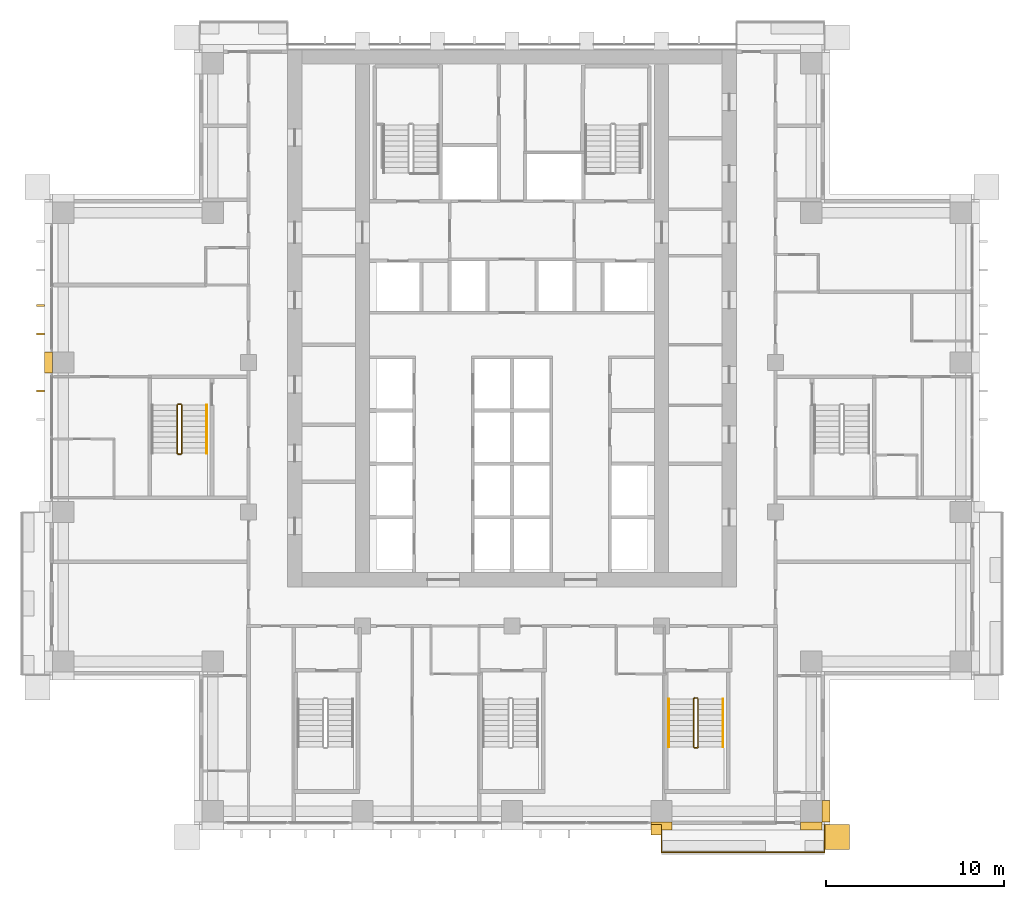
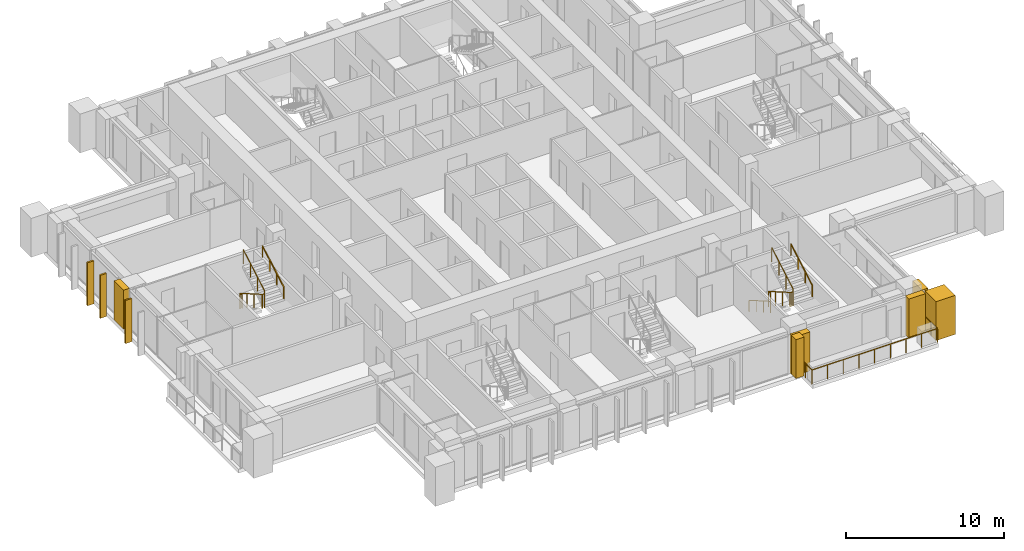
# One storey, part 18 of 21: 9 coverings, 6 railings.
"""IFC4 building model written with IfcOpenShell, lengths in metres."""

from ifc_helpers import new_model, si_unit, direction, frame, origin, origin_2d, place, context, subcontext, project, spatial, polyline, rectangle, outline, extrude, material, layer, layer_set, type_object, element, save


model = new_model("IFC4")

# Units and contexts
model_context = context("Model", 3, precision=1e-05, world=origin(), true_north=direction((0.0, 1.0)))
body_context = subcontext(model_context, "Body", "Model", "MODEL_VIEW")
ifc_project = project(units=[si_unit("LENGTHUNIT", "METRE"), si_unit("AREAUNIT", "SQUARE_METRE"), si_unit("VOLUMEUNIT", "CUBIC_METRE"), si_unit("PLANEANGLEUNIT", "RADIAN"), si_unit("MASSUNIT", "GRAM", prefix="KILO")], contexts=[model_context])

# Site, building, storey
site_placement = place(None, origin())
site = spatial("IfcSite", under=ifc_project, at=site_placement, CompositionType="ELEMENT")
building_placement = place(site_placement, origin())
building = spatial("IfcBuilding", under=site, at=building_placement, Name="Vermilion Ogive Tower", CompositionType="ELEMENT")
storey_placement = place(building_placement, frame((0.0, 0.0, 118.35009765625)))
storey = spatial("IfcBuildingStorey", under=building, at=storey_placement, Name="L30", CompositionType="ELEMENT", Elevation=118.35009765625)

# Railing
ifc_material_1 = material(Name="Stainless steel and glass", Category="steel")
railing_type_1 = type_object("IfcRailingType", Name="Balcony guard", PredefinedType="GUARDRAIL", material=ifc_material_1)
railing_1_placement = place(storey_placement, frame((8.39990234375, -21.75, -0.0400390625)))
element("IfcRailing", 1, at=railing_1_placement, inside=storey, type_object=railing_type_1, Name="Guard S04", PredefinedType="GUARDRAIL", context=body_context, shape_type="SweptSolid", body=[
    extrude(rectangle(XDim=0.048095703125, YDim=0.048095703125, at=origin_2d()), frame((0.0, 0.0, 1.076171875), z_axis=(0.0, -1.0, 0.0), x_axis=(1.0, 0.0, 0.0)), (0.0, 0.0, 1.0), 1.56396484375),
    extrude(rectangle(XDim=0.048095703125, YDim=0.048095703125, at=origin_2d()), frame((0.0, -1.56396484375, 1.076171875), z_axis=(1.0, 0.0, 0.0), x_axis=(0.0, 1.0, 0.0)), (0.0, 0.0, 1.0), 9.150146484375),
    extrude(rectangle(XDim=0.048095703125, YDim=0.048095703125, at=origin_2d()), frame((9.150146484375, -1.56396484375, 1.076171875), z_axis=(0.0, 1.0, 0.0), x_axis=(-1.0, 0.0, 0.0)), (0.0, 0.0, 1.0), 1.56396484375),
    extrude(rectangle(XDim=0.0419921875, YDim=0.0419921875, at=origin_2d()), origin(), (0.0, 0.0, 1.0), 1.052001953125),
    extrude(rectangle(XDim=0.0419921875, YDim=0.0419921875, at=origin_2d()), frame((0.0, -0.781982421875, 0.0)), (0.0, 0.0, 1.0), 1.052001953125),
    extrude(rectangle(XDim=0.0419921875, YDim=0.0419921875, at=origin_2d()), frame((0.0, -1.56396484375, 0.0)), (0.0, 0.0, 1.0), 1.052001953125),
    extrude(rectangle(XDim=0.0419921875, YDim=0.0419921875, at=origin_2d()), frame((1.143798828125, -1.56396484375, 0.0)), (0.0, 0.0, 1.0), 1.052001953125),
    extrude(rectangle(XDim=0.0419921875, YDim=0.0419921875, at=origin_2d()), frame((2.28759765625, -1.56396484375, 0.0)), (0.0, 0.0, 1.0), 1.052001953125),
    extrude(rectangle(XDim=0.0419921875, YDim=0.0419921875, at=origin_2d()), frame((3.431396484375, -1.56396484375, 0.0)), (0.0, 0.0, 1.0), 1.052001953125),
    extrude(rectangle(XDim=0.0419921875, YDim=0.0419921875, at=origin_2d()), frame((4.5751953125, -1.56396484375, 0.0)), (0.0, 0.0, 1.0), 1.052001953125),
    extrude(rectangle(XDim=0.0419921875, YDim=0.0419921875, at=origin_2d()), frame((5.71875, -1.56396484375, 0.0)), (0.0, 0.0, 1.0), 1.052001953125),
    extrude(rectangle(XDim=0.0419921875, YDim=0.0419921875, at=origin_2d()), frame((6.862548828125, -1.56396484375, 0.0)), (0.0, 0.0, 1.0), 1.052001953125),
    extrude(rectangle(XDim=0.0419921875, YDim=0.0419921875, at=origin_2d()), frame((8.00634765625, -1.56396484375, 0.0)), (0.0, 0.0, 1.0), 1.052001953125),
    extrude(rectangle(XDim=0.0419921875, YDim=0.0419921875, at=origin_2d()), frame((9.150146484375, -1.56396484375, 0.0)), (0.0, 0.0, 1.0), 1.052001953125),
    extrude(rectangle(XDim=0.0419921875, YDim=0.0419921875, at=origin_2d()), frame((9.150146484375, -0.781982421875, 0.0)), (0.0, 0.0, 1.0), 1.052001953125),
    extrude(rectangle(XDim=0.0419921875, YDim=0.0419921875, at=origin_2d()), frame((9.150146484375, 0.0, 0.0)), (0.0, 0.0, 1.0), 1.052001953125),
])

# Coverings
ifc_material_2 = material(Name="Glazed ceramic screen")
ifc_layer = layer(ifc_material_2, 0.14990234375)
ifc_layer_set = layer_set([ifc_layer], Name="Ceramic solar screen fin")
covering_type_1 = type_object("IfcCoveringType", Name="Ceramic solar screen fin", PredefinedType="CLADDING", material=ifc_layer_set)
covering_1_placement = place(storey_placement, frame((0.0, 0.0, -0.320068359375)))
element("IfcCovering", 2, at=covering_1_placement, inside=storey, type_object=covering_type_1, Name="Solar screen blade W011", PredefinedType="CLADDING", context=body_context, shape_type="SweptSolid", body=[
    extrude(outline(polyline([(-26.699951171875, 7.4599609375), (-26.699951171875, 7.340087890625), (-26.25, 7.340087890625), (-26.25, 7.4599609375), (-26.699951171875, 7.4599609375)])), origin(), (0.0, 0.0, 1.0), 3.320068359375),
])
covering_2_placement = place(storey_placement, frame((0.0, 0.0, -0.320068359375)))
element("IfcCovering", 3, at=covering_2_placement, inside=storey, type_object=covering_type_1, Name="Solar screen blade W012", PredefinedType="CLADDING", context=body_context, shape_type="SweptSolid", body=[
    extrude(outline(polyline([(-26.699951171875, 5.860107421875), (-26.699951171875, 5.739990234375), (-26.25, 5.739990234375), (-26.25, 5.860107421875), (-26.699951171875, 5.860107421875)])), origin(), (0.0, 0.0, 1.0), 3.320068359375),
])
covering_3_placement = place(storey_placement, frame((0.0, 0.0, -0.320068359375)))
element("IfcCovering", 4, at=covering_3_placement, inside=storey, type_object=covering_type_1, Name="Solar screen blade W001", PredefinedType="CLADDING", context=body_context, shape_type="SweptSolid", body=[
    extrude(outline(polyline([(-26.699951171875, 2.659912109375), (-26.699951171875, 2.5400390625), (-26.25, 2.5400390625), (-26.25, 2.659912109375), (-26.699951171875, 2.659912109375)])), origin(), (0.0, 0.0, 1.0), 3.320068359375),
])

# Railings
ifc_material_3 = material(Name="Steel S355 painted", Category="steel")
railing_type_2 = type_object("IfcRailingType", Name="Stair guard 1100", PredefinedType="GUARDRAIL", material=ifc_material_3)
railing_2_placement = place(storey_placement, frame((10.39990234375, -14.64990234375, 0.0)))
element("IfcRailing", 5, at=railing_2_placement, inside=storey, type_object=railing_type_2, Name="L30 ST5 stair guard 4", PredefinedType="GUARDRAIL", context=body_context, shape_type="SweptSolid", body=[
    extrude(rectangle(XDim=0.048095703125, YDim=0.048095703125, at=origin_2d()), frame((0.0, 0.0, 1.076171875), z_axis=(-1.0, 0.0, 0.0), x_axis=(0.0, -1.0, 0.0)), (0.0, 0.0, 1.0), 0.14990234375),
    extrude(rectangle(XDim=0.048095703125, YDim=0.048095703125, at=origin_2d()), frame((-0.14990234375, 0.0, 1.076171875), z_axis=(-0.268603158521, -0.268603158521, 0.925043072762), x_axis=(0.707106781187, -0.707106781187, 0.0)), (0.0, 0.0, 1.0), 0.186279296875),
    extrude(rectangle(XDim=0.048095703125, YDim=0.048095703125, at=origin_2d()), frame((-0.199951171875, -0.050048828125, 1.24853515625), z_axis=(0.0, -0.866903762492, 0.498475542607), x_axis=(1.0, 0.0, 0.0)), (0.0, 0.0, 1.0), 3.114501953125),
    extrude(rectangle(XDim=0.048095703125, YDim=0.048095703125, at=origin_2d()), frame((-0.199951171875, -2.75, 2.80078125), z_axis=(0.707106781187, -0.707106781187, 0.0), x_axis=(0.707106781187, 0.707106781187, 0.0)), (0.0, 0.0, 1.0), 0.07080078125),
    extrude(rectangle(XDim=0.048095703125, YDim=0.048095703125, at=origin_2d()), frame((-0.14990234375, -2.800048828125, 2.80078125), z_axis=(1.0, 0.0, 0.0), x_axis=(0.0, 1.0, 0.0)), (0.0, 0.0, 1.0), 0.14990234375),
    extrude(rectangle(XDim=0.048095703125, YDim=0.048095703125, at=origin_2d()), frame((0.0, -2.800048828125, 2.80078125), z_axis=(0.268277960024, 0.268277960024, 0.925231793839), x_axis=(-0.707106781187, 0.707106781187, 0.0)), (0.0, 0.0, 1.0), 0.1865234375),
    extrude(rectangle(XDim=0.048095703125, YDim=0.048095703125, at=origin_2d()), frame((0.050048828125, -2.75, 2.9736328125), z_axis=(0.0, 0.866903762492, 0.498475542607), x_axis=(-1.0, 0.0, 0.0)), (0.0, 0.0, 1.0), 3.114501953125),
    extrude(rectangle(XDim=0.0419921875, YDim=0.0419921875, at=origin_2d()), origin(), (0.0, 0.0, 1.0), 1.052001953125),
    extrude(rectangle(XDim=0.0419921875, YDim=0.0419921875, at=origin_2d()), frame((-0.14990234375, 0.0, 0.0)), (0.0, 0.0, 1.0), 1.052001953125),
    extrude(rectangle(XDim=0.0419921875, YDim=0.0419921875, at=origin_2d()), frame((-0.199951171875, -0.050048828125, 0.17236328125)), (0.0, 0.0, 1.0), 1.052001953125),
    extrude(rectangle(XDim=0.0419921875, YDim=0.0419921875, at=origin_2d()), frame((-0.199951171875, -0.949951171875, 0.68994140625)), (0.0, 0.0, 1.0), 1.052001953125),
    extrude(rectangle(XDim=0.0419921875, YDim=0.0419921875, at=origin_2d()), frame((-0.199951171875, -1.85009765625, 1.207275390625)), (0.0, 0.0, 1.0), 1.052001953125),
    extrude(rectangle(XDim=0.0419921875, YDim=0.0419921875, at=origin_2d()), frame((-0.199951171875, -2.75, 1.724853515625)), (0.0, 0.0, 1.0), 1.052001953125),
    extrude(rectangle(XDim=0.0419921875, YDim=0.0419921875, at=origin_2d()), frame((-0.14990234375, -2.800048828125, 1.724853515625)), (0.0, 0.0, 1.0), 1.052001953125),
    extrude(rectangle(XDim=0.0419921875, YDim=0.0419921875, at=origin_2d()), frame((0.0, -2.800048828125, 1.724853515625)), (0.0, 0.0, 1.0), 1.052001953125),
    extrude(rectangle(XDim=0.0419921875, YDim=0.0419921875, at=origin_2d()), frame((0.050048828125, -2.75, 1.8974609375)), (0.0, 0.0, 1.0), 1.052001953125),
    extrude(rectangle(XDim=0.0419921875, YDim=0.0419921875, at=origin_2d()), frame((0.050048828125, -1.85009765625, 2.4150390625)), (0.0, 0.0, 1.0), 1.052001953125),
    extrude(rectangle(XDim=0.0419921875, YDim=0.0419921875, at=origin_2d()), frame((0.050048828125, -0.949951171875, 2.932373046875)), (0.0, 0.0, 1.0), 1.052001953125),
    extrude(rectangle(XDim=0.0419921875, YDim=0.0419921875, at=origin_2d()), frame((0.050048828125, -0.050048828125, 3.449951171875)), (0.0, 0.0, 1.0), 1.052001953125),
])
railing_3_placement = place(storey_placement, frame((-18.60009765625, 1.85009765625, 0.0)))
element("IfcRailing", 6, at=railing_3_placement, inside=storey, type_object=railing_type_2, Name="L30 ST9 stair guard 4", PredefinedType="GUARDRAIL", context=body_context, shape_type="SweptSolid", body=[
    extrude(rectangle(XDim=0.048095703125, YDim=0.048095703125, at=origin_2d()), frame((0.0, 0.0, 1.076171875), z_axis=(-1.0, 0.0, 0.0), x_axis=(0.0, -1.0, 0.0)), (0.0, 0.0, 1.0), 0.14990234375),
    extrude(rectangle(XDim=0.048095703125, YDim=0.048095703125, at=origin_2d()), frame((-0.14990234375, 0.0, 1.076171875), z_axis=(-0.268603158521, -0.268603158521, 0.925043072762), x_axis=(0.707106781187, -0.707106781187, 0.0)), (0.0, 0.0, 1.0), 0.186279296875),
    extrude(rectangle(XDim=0.048095703125, YDim=0.048095703125, at=origin_2d()), frame((-0.199951171875, -0.050048828125, 1.24853515625), z_axis=(0.0, -0.866903762492, 0.498475542607), x_axis=(1.0, 0.0, 0.0)), (0.0, 0.0, 1.0), 3.114501953125),
    extrude(rectangle(XDim=0.048095703125, YDim=0.048095703125, at=origin_2d()), frame((-0.199951171875, -2.75, 2.80078125), z_axis=(0.707106781187, -0.707106781187, 0.0), x_axis=(0.707106781187, 0.707106781187, 0.0)), (0.0, 0.0, 1.0), 0.07080078125),
    extrude(rectangle(XDim=0.048095703125, YDim=0.048095703125, at=origin_2d()), frame((-0.14990234375, -2.800048828125, 2.80078125), z_axis=(1.0, 0.0, 0.0), x_axis=(0.0, 1.0, 0.0)), (0.0, 0.0, 1.0), 0.14990234375),
    extrude(rectangle(XDim=0.048095703125, YDim=0.048095703125, at=origin_2d()), frame((0.0, -2.800048828125, 2.80078125), z_axis=(0.268277960024, 0.268277960024, 0.925231793839), x_axis=(-0.707106781187, 0.707106781187, 0.0)), (0.0, 0.0, 1.0), 0.1865234375),
    extrude(rectangle(XDim=0.048095703125, YDim=0.048095703125, at=origin_2d()), frame((0.050048828125, -2.75, 2.9736328125), z_axis=(0.0, 0.866903762492, 0.498475542607), x_axis=(-1.0, 0.0, 0.0)), (0.0, 0.0, 1.0), 3.114501953125),
    extrude(rectangle(XDim=0.0419921875, YDim=0.0419921875, at=origin_2d()), origin(), (0.0, 0.0, 1.0), 1.052001953125),
    extrude(rectangle(XDim=0.0419921875, YDim=0.0419921875, at=origin_2d()), frame((-0.14990234375, 0.0, 0.0)), (0.0, 0.0, 1.0), 1.052001953125),
    extrude(rectangle(XDim=0.0419921875, YDim=0.0419921875, at=origin_2d()), frame((-0.199951171875, -0.050048828125, 0.17236328125)), (0.0, 0.0, 1.0), 1.052001953125),
    extrude(rectangle(XDim=0.0419921875, YDim=0.0419921875, at=origin_2d()), frame((-0.199951171875, -0.949951171875, 0.68994140625)), (0.0, 0.0, 1.0), 1.052001953125),
    extrude(rectangle(XDim=0.0419921875, YDim=0.0419921875, at=origin_2d()), frame((-0.199951171875, -1.85009765625, 1.207275390625)), (0.0, 0.0, 1.0), 1.052001953125),
    extrude(rectangle(XDim=0.0419921875, YDim=0.0419921875, at=origin_2d()), frame((-0.199951171875, -2.75, 1.724853515625)), (0.0, 0.0, 1.0), 1.052001953125),
    extrude(rectangle(XDim=0.0419921875, YDim=0.0419921875, at=origin_2d()), frame((-0.14990234375, -2.800048828125, 1.724853515625)), (0.0, 0.0, 1.0), 1.052001953125),
    extrude(rectangle(XDim=0.0419921875, YDim=0.0419921875, at=origin_2d()), frame((0.0, -2.800048828125, 1.724853515625)), (0.0, 0.0, 1.0), 1.052001953125),
    extrude(rectangle(XDim=0.0419921875, YDim=0.0419921875, at=origin_2d()), frame((0.050048828125, -2.75, 1.8974609375)), (0.0, 0.0, 1.0), 1.052001953125),
    extrude(rectangle(XDim=0.0419921875, YDim=0.0419921875, at=origin_2d()), frame((0.050048828125, -1.85009765625, 2.4150390625)), (0.0, 0.0, 1.0), 1.052001953125),
    extrude(rectangle(XDim=0.0419921875, YDim=0.0419921875, at=origin_2d()), frame((0.050048828125, -0.949951171875, 2.932373046875)), (0.0, 0.0, 1.0), 1.052001953125),
    extrude(rectangle(XDim=0.0419921875, YDim=0.0419921875, at=origin_2d()), frame((0.050048828125, -0.050048828125, 3.449951171875)), (0.0, 0.0, 1.0), 1.052001953125),
])
ifc_material_4 = material(Name="Stainless steel", Category="steel")
railing_type_3 = type_object("IfcRailingType", Name="Stair handrail 900", PredefinedType="HANDRAIL", material=ifc_material_4)
railing_4_placement = place(storey_placement, frame((8.800048828125, -14.699951171875, 0.17236328125)))
element("IfcRailing", 7, at=railing_4_placement, inside=storey, type_object=railing_type_3, Name="L30 ST5 stair handrail 1", PredefinedType="HANDRAIL", context=body_context, shape_type="SweptSolid", body=[
    extrude(rectangle(XDim=0.048095703125, YDim=0.048095703125, at=origin_2d()), frame((0.0, 0.0, 0.8759765625), z_axis=(0.0, -0.866903762492, 0.498475542607), x_axis=(1.0, 0.0, 0.0)), (0.0, 0.0, 1.0), 3.114501953125),
    extrude(rectangle(XDim=0.0419921875, YDim=0.0419921875, at=origin_2d()), origin(), (0.0, 0.0, 1.0), 0.851806640625),
    extrude(rectangle(XDim=0.0419921875, YDim=0.0419921875, at=origin_2d()), frame((0.0, -0.89990234375, 0.517578125)), (0.0, 0.0, 1.0), 0.851806640625),
    extrude(rectangle(XDim=0.0419921875, YDim=0.0419921875, at=origin_2d()), frame((0.0, -1.800048828125, 1.034912109375)), (0.0, 0.0, 1.0), 0.851806640625),
    extrude(rectangle(XDim=0.0419921875, YDim=0.0419921875, at=origin_2d()), frame((0.0, -2.699951171875, 1.552490234375)), (0.0, 0.0, 1.0), 0.851806640625),
])
for number, where, name in (
    (8, (11.85009765625, -17.39990234375, 1.8974609375), "L30 ST5 stair handrail 2"),
    (9, (-17.14990234375, -0.89990234375, 1.8974609375), "L30 ST9 stair handrail 2"),
):
    element("IfcRailing", number, at=place(storey_placement, frame(where)), inside=storey, type_object=railing_type_3, Name=name, PredefinedType="HANDRAIL", context=body_context, shape_type="SweptSolid", body=[
        extrude(rectangle(XDim=0.048095703125, YDim=0.048095703125, at=origin_2d()), frame((0.0, 0.0, 0.8759765625), z_axis=(0.0, 0.866903762492, 0.498475542607), x_axis=(-1.0, 0.0, 0.0)), (0.0, 0.0, 1.0), 3.114501953125),
        extrude(rectangle(XDim=0.0419921875, YDim=0.0419921875, at=origin_2d()), origin(), (0.0, 0.0, 1.0), 0.851806640625),
        extrude(rectangle(XDim=0.0419921875, YDim=0.0419921875, at=origin_2d()), frame((0.0, 0.89990234375, 0.517578125)), (0.0, 0.0, 1.0), 0.851806640625),
        extrude(rectangle(XDim=0.0419921875, YDim=0.0419921875, at=origin_2d()), frame((0.0, 1.800048828125, 1.034912109375)), (0.0, 0.0, 1.0), 0.851806640625),
        extrude(rectangle(XDim=0.0419921875, YDim=0.0419921875, at=origin_2d()), frame((0.0, 2.699951171875, 1.552490234375)), (0.0, 0.0, 1.0), 0.851806640625),
    ])

# Coverings
ifc_material_5 = material(Name="Stone cladding", Category="masonry")
covering_type_2 = type_object("IfcCoveringType", Name="Stone corner buttress", PredefinedType="CLADDING", material=ifc_material_5)
covering_4_placement = place(storey_placement, origin())
element("IfcCovering", 10, at=covering_4_placement, inside=storey, type_object=covering_type_2, Name="Stone crease pier SK", PredefinedType="CLADDING", context=body_context, shape_type="SweptSolid", body=[
    extrude(outline(polyline([(7.800048828125, -22.35009765625), (8.39990234375, -22.35009765625), (8.39990234375, -21.75), (7.800048828125, -21.75), (7.800048828125, -22.35009765625)])), origin(), (0.0, 0.0, 1.0), 3.0),
])
covering_5_placement = place(storey_placement, origin())
element("IfcCovering", 11, at=covering_5_placement, inside=storey, type_object=covering_type_2, Name="Stone corner buttress X11", PredefinedType="CLADDING", context=body_context, shape_type="SweptSolid", body=[
    extrude(outline(polyline([(18.949951171875, -21.75), (18.949951171875, -23.14990234375), (17.550048828125, -23.14990234375), (17.550048828125, -22.050048828125), (17.550048828125, -21.75), (18.949951171875, -21.75)])), origin(), (0.0, 0.0, 1.0), 3.0),
])
ifc_material_6 = material(Name="Stone cladding", Category="masonry")
covering_type_3 = type_object("IfcCoveringType", Name="Stone pier", PredefinedType="CLADDING", material=ifc_material_6)
covering_6_placement = place(storey_placement, origin())
element("IfcCovering", 12, at=covering_6_placement, inside=storey, type_object=covering_type_3, Name="Stone pier P+0084-210", PredefinedType="CLADDING", context=body_context, shape_type="SweptSolid", body=[
    extrude(outline(polyline([(9.0, -21.60009765625), (9.0, -22.050048828125), (8.39990234375, -22.050048828125), (8.39990234375, -21.75), (7.800048828125, -21.75), (7.800048828125, -21.60009765625), (9.0, -21.60009765625), (9.0, -21.60009765625)])), origin(), (0.0, 0.0, 1.0), 3.0),
])
covering_7_placement = place(storey_placement, origin())
element("IfcCovering", 13, at=covering_7_placement, inside=storey, type_object=covering_type_3, Name="Stone pier P+0168-210S", PredefinedType="CLADDING", context=body_context, shape_type="SweptSolid", body=[
    extrude(outline(polyline([(17.39990234375, -22.050048828125), (16.199951171875, -22.050048828125), (16.199951171875, -21.60009765625), (17.39990234375, -21.60009765625), (17.39990234375, -22.050048828125)])), origin(), (0.0, 0.0, 1.0), 3.0),
])
covering_8_placement = place(storey_placement, origin())
element("IfcCovering", 14, at=covering_8_placement, inside=storey, type_object=covering_type_3, Name="Stone pier P+0168-210X1", PredefinedType="CLADDING", context=body_context, shape_type="SweptSolid", body=[
    extrude(outline(polyline([(17.85009765625, -21.60009765625), (17.39990234375, -21.60009765625), (17.39990234375, -20.39990234375), (17.85009765625, -20.39990234375), (17.85009765625, -21.60009765625)])), origin(), (0.0, 0.0, 1.0), 3.0),
])
covering_9_placement = place(storey_placement, origin())
element("IfcCovering", 15, at=covering_9_placement, inside=storey, type_object=covering_type_3, Name="Stone pier P-0252+042", PredefinedType="CLADDING", context=body_context, shape_type="SweptSolid", body=[
    extrude(outline(polyline([(-25.800048828125, 3.60009765625), (-26.25, 3.60009765625), (-26.25, 4.800048828125), (-25.800048828125, 4.800048828125), (-25.800048828125, 4.800048828125), (-25.800048828125, 3.60009765625)])), origin(), (0.0, 0.0, 1.0), 3.0),
])

save(model, "model.ifc")
